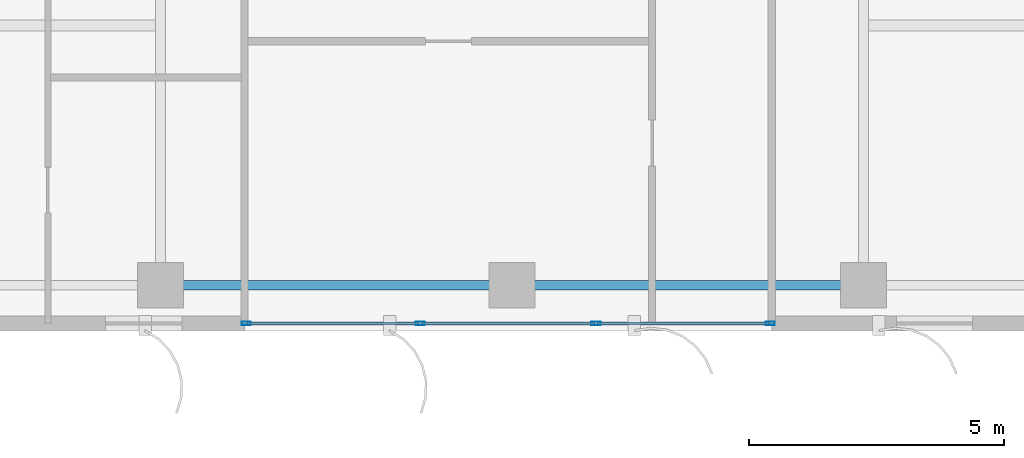
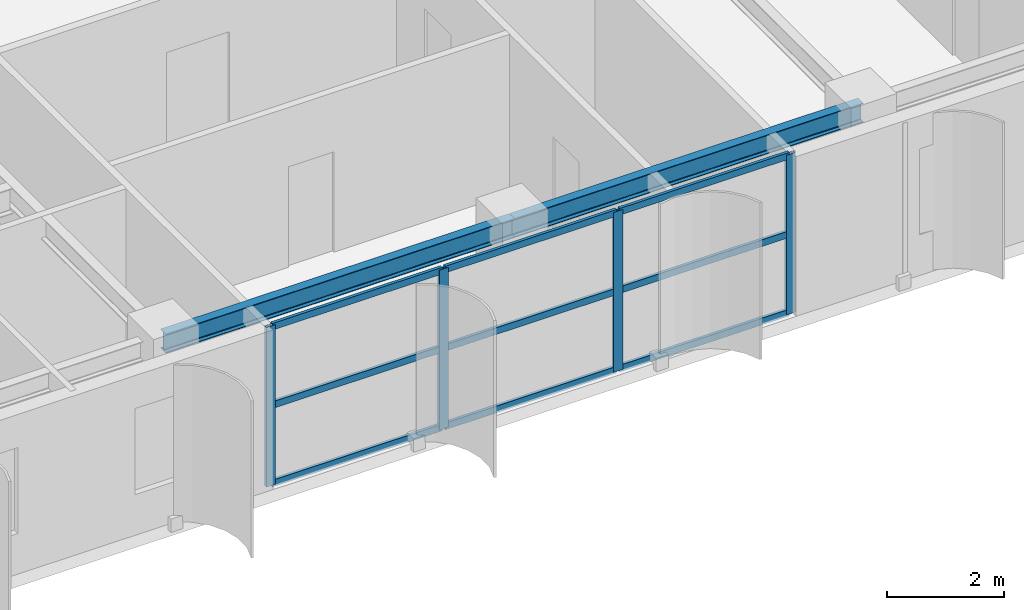
# One storey, part 2 of 22: 13 members, 2 beams, 1 element without a shape of its own.
"""IFC4 building model written with IfcOpenShell, lengths in metres."""

from ifc_helpers import new_model, si_unit, direction, frame, origin, origin_2d, place, context, subcontext, project, spatial, hollow_rectangle, i_section, extrude, source, transform, mapped, material, layer, layer_set, material_profile, profile_set, type_object, element, aggregate, save


model = new_model("IFC4")

# Units and contexts
model_context = context("Model", 3, precision=1e-05, world=origin(), true_north=direction((0.0, 1.0)))
body_context = subcontext(model_context, "Body", "Model", "MODEL_VIEW")
ifc_project = project(units=[si_unit("LENGTHUNIT", "METRE"), si_unit("AREAUNIT", "SQUARE_METRE"), si_unit("VOLUMEUNIT", "CUBIC_METRE"), si_unit("PLANEANGLEUNIT", "RADIAN"), si_unit("MASSUNIT", "GRAM", prefix="KILO")], contexts=[model_context])

# Site, building, storey
site_placement = place(None, origin())
site = spatial("IfcSite", under=ifc_project, at=site_placement, CompositionType="ELEMENT")
building_placement = place(site_placement, origin())
building = spatial("IfcBuilding", under=site, at=building_placement, Name="Khoralis Quay Care Tower", CompositionType="ELEMENT")
storey_placement = place(building_placement, frame((0.0, 0.0, 180.89990234375)))
storey = spatial("IfcBuildingStorey", under=building, at=storey_placement, Name="L47", CompositionType="ELEMENT", Elevation=180.89990234375)

# Beams
ifc_material_1 = material(Name="Steel S355", Category="steel")
ifc_material_profile_1 = material_profile(ifc_material_1, i_section(OverallWidth=0.179931640625, OverallDepth=0.39990234375, WebThickness=0.008544921875, FlangeThickness=0.013427734375, FilletRadius=0.02099609375, at=origin_2d()), Name="Steel S355")
ifc_profile_set_1 = profile_set([ifc_material_profile_1], Name="Steel S355")
beam_type = type_object("IfcBeamType", Name="BM-IPE400", PredefinedType="SPANDREL", material=ifc_profile_set_1)
shared_shape_1 = source(origin(), body_context, "Body", "SweptSolid", [
    extrude(i_section(OverallWidth=0.179931640625, OverallDepth=0.39990234375, WebThickness=0.008544921875, FlangeThickness=0.013427734375, FilletRadius=0.02099609375, at=origin_2d()), origin(), (0.0, 0.0, 1.0), 6.89990234375),
])
for number, where, z_axis, x_axis, name in (
    (1, (17.10009765625, 0.89990234375, 3.14013671875), (1.0, 0.0, 0.0), (0.0, 1.0, 0.0), "BM-TSP-L47-02"),
    (2, (24.0, 0.89990234375, 3.14013671875), (1.0, 0.0, 0.0), (0.0, 1.0, 0.0), "BM-TSP-L47-03"),
):
    element("IfcBeam", number, at=place(storey_placement, frame(where, z_axis=z_axis, x_axis=x_axis)), inside=storey, type_object=beam_type, Name=name, PredefinedType="SPANDREL", context=body_context, shape_type="MappedRepresentation", body=[
        mapped(shared_shape_1, transform((0.0, 0.0, 0.0), scale=1.0)),
    ])

# Curtain wall, members
ifc_material_2 = material(Name="Pale anodised aluminium", Category="aluminium")
ifc_layer = layer(ifc_material_2, 0.159912109375)
ifc_layer_set = layer_set([ifc_layer], Name="Pale anodised aluminium")
curtain_wall_type = type_object("IfcCurtainWallType", Name="CW-SYS-Z3", PredefinedType="NOTDEFINED", material=ifc_layer_set)
curtain_wall_placement = place(storey_placement, origin())
curtain_wall = element("IfcCurtainWall", 3, at=curtain_wall_placement, inside=storey, type_object=curtain_wall_type, Name="L47 Unitised Curtain Wall CW-L47-P1-E0", PredefinedType="NOTDEFINED")
ifc_material_profile_2 = material_profile(ifc_material_2, hollow_rectangle(XDim=0.06494140625, YDim=0.179931640625, WallThickness=0.00390625, at=origin_2d()), Name="Pale anodised aluminium")
ifc_profile_set_2 = profile_set([ifc_material_profile_2], Name="Pale anodised aluminium")
member_type_1 = type_object("IfcMemberType", Name="CW-MUL-180", PredefinedType="MULLION", material=ifc_profile_set_2)
shared_shape_2 = source(origin(), body_context, "Body", "SweptSolid", [
    extrude(hollow_rectangle(XDim=0.06494140625, YDim=0.179931640625, WallThickness=0.00390625, at=origin_2d()), origin(), (0.0, 0.0, 1.0), 3.340087890625),
])
member_1_placement = place(storey_placement, frame((18.780029296875, 0.14990234375, 0.0), z_axis=(0.0, 0.0, 1.0), x_axis=(0.0, 1.0, 0.0)))
member_1 = element("IfcMember", 4, at=member_1_placement, type_object=member_type_1, Name="CW3 mullion 1", PredefinedType="MULLION", context=body_context, shape_type="MappedRepresentation", body=[
    mapped(shared_shape_2, transform((0.0, 0.0, 0.0), scale=1.0)),
])
member_2_placement = place(storey_placement, frame((22.199951171875, 0.14990234375, 0.0), z_axis=(0.0, 0.0, 1.0), x_axis=(0.0, 1.0, 0.0)))
member_2 = element("IfcMember", 5, at=member_2_placement, type_object=member_type_1, Name="CW3 mullion 2", PredefinedType="MULLION", context=body_context, shape_type="MappedRepresentation", body=[
    mapped(shared_shape_2, transform((0.0, 0.0, 0.0), scale=1.0)),
])
member_3_placement = place(storey_placement, frame((25.64990234375, 0.14990234375, 0.0), z_axis=(0.0, 0.0, 1.0), x_axis=(0.0, 1.0, 0.0)))
member_3 = element("IfcMember", 6, at=member_3_placement, type_object=member_type_1, Name="CW3 mullion 3", PredefinedType="MULLION", context=body_context, shape_type="MappedRepresentation", body=[
    mapped(shared_shape_2, transform((0.0, 0.0, 0.0), scale=1.0)),
])
member_4_placement = place(storey_placement, frame((29.070068359375, 0.14990234375, 0.0), z_axis=(0.0, 0.0, 1.0), x_axis=(0.0, 1.0, 0.0)))
member_4 = element("IfcMember", 7, at=member_4_placement, type_object=member_type_1, Name="CW3 mullion 4", PredefinedType="MULLION", context=body_context, shape_type="MappedRepresentation", body=[
    mapped(shared_shape_2, transform((0.0, 0.0, 0.0), scale=1.0)),
])
ifc_material_profile_3 = material_profile(ifc_material_2, hollow_rectangle(XDim=0.06005859375, YDim=0.139892578125, WallThickness=0.00390625, at=origin_2d()), Name="Pale anodised aluminium")
ifc_profile_set_3 = profile_set([ifc_material_profile_3], Name="Pale anodised aluminium")
member_type_2 = type_object("IfcMemberType", Name="CW-TRN-140", PredefinedType="USERDEFINED", material=ifc_profile_set_3)
shared_shape_3 = source(origin(), body_context, "Body", "SweptSolid", [
    extrude(hollow_rectangle(XDim=0.06005859375, YDim=0.139892578125, WallThickness=0.00390625, at=origin_2d()), origin(), (0.0, 0.0, 1.0), 3.35986328125),
])
member_5_placement = place(storey_placement, frame((18.81005859375, 0.14990234375, 0.030029296875), z_axis=(1.0, 0.0, 0.0), x_axis=(0.0, 1.0, 0.0)))
member_5 = element("IfcMember", 8, at=member_5_placement, type_object=member_type_2, Name="CW3 transom 1.1", ObjectType="TRANSOM", PredefinedType="USERDEFINED", context=body_context, shape_type="MappedRepresentation", body=[
    mapped(shared_shape_3, transform((0.0, 0.0, 0.0), scale=1.0)),
])
member_6_placement = place(storey_placement, frame((18.81005859375, 0.14990234375, 1.670166015625), z_axis=(1.0, 0.0, 0.0), x_axis=(0.0, 1.0, 0.0)))
member_6 = element("IfcMember", 9, at=member_6_placement, type_object=member_type_2, Name="CW3 transom 1.2", ObjectType="TRANSOM", PredefinedType="USERDEFINED", context=body_context, shape_type="MappedRepresentation", body=[
    mapped(shared_shape_3, transform((0.0, 0.0, 0.0), scale=1.0)),
])
member_7_placement = place(storey_placement, frame((18.81005859375, 0.14990234375, 3.31005859375), z_axis=(1.0, 0.0, 0.0), x_axis=(0.0, 1.0, 0.0)))
member_7 = element("IfcMember", 10, at=member_7_placement, type_object=member_type_2, Name="CW3 transom 1.3", ObjectType="TRANSOM", PredefinedType="USERDEFINED", context=body_context, shape_type="MappedRepresentation", body=[
    mapped(shared_shape_3, transform((0.0, 0.0, 0.0), scale=1.0)),
])
shared_shape_4 = source(origin(), body_context, "Body", "SweptSolid", [
    extrude(hollow_rectangle(XDim=0.06005859375, YDim=0.139892578125, WallThickness=0.00390625, at=origin_2d()), origin(), (0.0, 0.0, 1.0), 3.39013671875),
])
member_8_placement = place(storey_placement, frame((22.22998046875, 0.14990234375, 0.030029296875), z_axis=(1.0, 0.0, 0.0), x_axis=(0.0, 1.0, 0.0)))
member_8 = element("IfcMember", 11, at=member_8_placement, type_object=member_type_2, Name="CW3 transom 2.1", ObjectType="TRANSOM", PredefinedType="USERDEFINED", context=body_context, shape_type="MappedRepresentation", body=[
    mapped(shared_shape_4, transform((0.0, 0.0, 0.0), scale=1.0)),
])
member_9_placement = place(storey_placement, frame((22.22998046875, 0.14990234375, 1.670166015625), z_axis=(1.0, 0.0, 0.0), x_axis=(0.0, 1.0, 0.0)))
member_9 = element("IfcMember", 12, at=member_9_placement, type_object=member_type_2, Name="CW3 transom 2.2", ObjectType="TRANSOM", PredefinedType="USERDEFINED", context=body_context, shape_type="MappedRepresentation", body=[
    mapped(shared_shape_4, transform((0.0, 0.0, 0.0), scale=1.0)),
])
member_10_placement = place(storey_placement, frame((22.22998046875, 0.14990234375, 3.31005859375), z_axis=(1.0, 0.0, 0.0), x_axis=(0.0, 1.0, 0.0)))
member_10 = element("IfcMember", 13, at=member_10_placement, type_object=member_type_2, Name="CW3 transom 2.3", ObjectType="TRANSOM", PredefinedType="USERDEFINED", context=body_context, shape_type="MappedRepresentation", body=[
    mapped(shared_shape_4, transform((0.0, 0.0, 0.0), scale=1.0)),
])
shared_shape_5 = source(origin(), body_context, "Body", "SweptSolid", [
    extrude(hollow_rectangle(XDim=0.06005859375, YDim=0.139892578125, WallThickness=0.00390625, at=origin_2d()), origin(), (0.0, 0.0, 1.0), 3.360107421875),
])
member_11_placement = place(storey_placement, frame((25.679931640625, 0.14990234375, 0.030029296875), z_axis=(1.0, 0.0, 0.0), x_axis=(0.0, 1.0, 0.0)))
member_11 = element("IfcMember", 14, at=member_11_placement, type_object=member_type_2, Name="CW3 transom 3.1", ObjectType="TRANSOM", PredefinedType="USERDEFINED", context=body_context, shape_type="MappedRepresentation", body=[
    mapped(shared_shape_5, transform((0.0, 0.0, 0.0), scale=1.0)),
])
member_12_placement = place(storey_placement, frame((25.679931640625, 0.14990234375, 1.670166015625), z_axis=(1.0, 0.0, 0.0), x_axis=(0.0, 1.0, 0.0)))
member_12 = element("IfcMember", 15, at=member_12_placement, type_object=member_type_2, Name="CW3 transom 3.2", ObjectType="TRANSOM", PredefinedType="USERDEFINED", context=body_context, shape_type="MappedRepresentation", body=[
    mapped(shared_shape_5, transform((0.0, 0.0, 0.0), scale=1.0)),
])
member_13_placement = place(storey_placement, frame((25.679931640625, 0.14990234375, 3.31005859375), z_axis=(1.0, 0.0, 0.0), x_axis=(0.0, 1.0, 0.0)))
member_13 = element("IfcMember", 16, at=member_13_placement, type_object=member_type_2, Name="CW3 transom 3.3", ObjectType="TRANSOM", PredefinedType="USERDEFINED", context=body_context, shape_type="MappedRepresentation", body=[
    mapped(shared_shape_5, transform((0.0, 0.0, 0.0), scale=1.0)),
])
aggregate(curtain_wall, [member_1, member_2, member_3, member_4, member_5, member_6, member_7, member_8, member_9, member_10, member_11, member_12, member_13])

save(model, "model.ifc")
